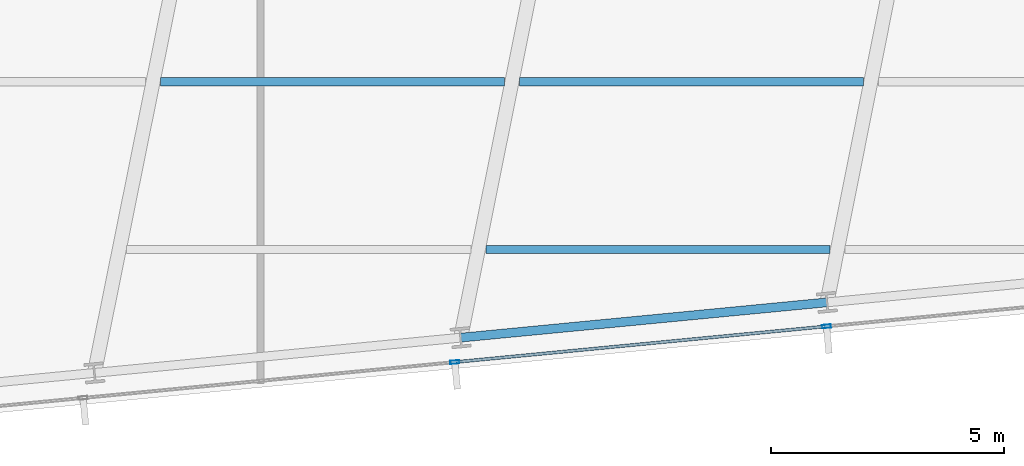
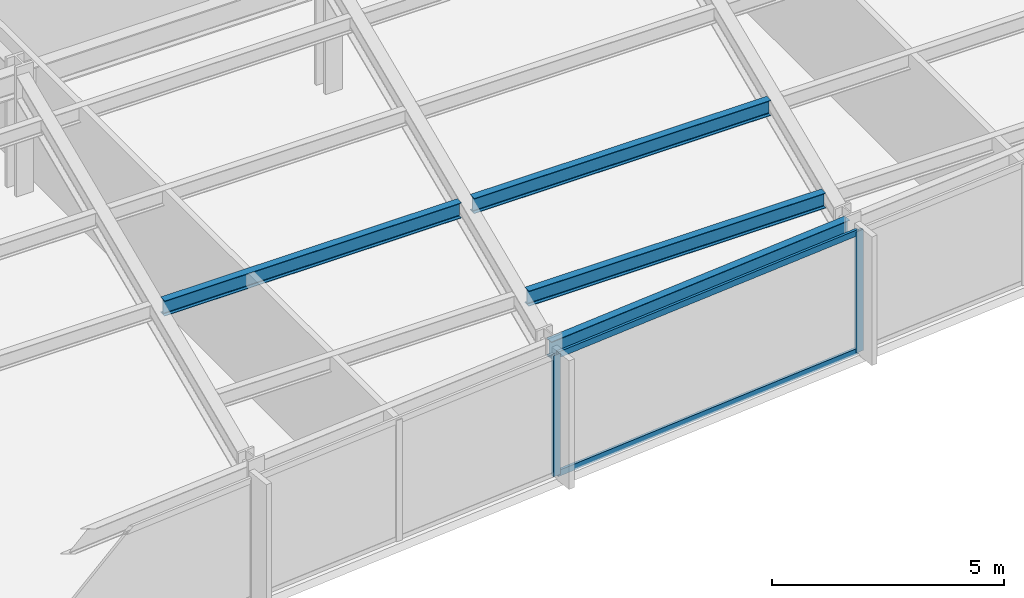
# One storey, part 4 of 32: 4 beams, 4 members, 1 element without a shape of its own.
"""IFC4 building model written with IfcOpenShell, lengths in metres."""

import ifcopenshell
import ifcopenshell.guid

model = None  # the IFC model being written
_history = None  # IfcOwnerHistory: only IFC2X3 demands one
_inside = {}  # id of a spatial element -> (the spatial element, [elements in it])
_under = {}  # id of a project, library or spatial element -> (it, [spatial elements below it])
_declared = {}  # id of a project -> (the project, [libraries it declares])
_typed = {}  # id of a type object -> (the type object, [elements of that type])
_made_of = {}  # id of a material, layer set ... -> (it, [elements and type objects made of it])


def new_model(schema):
    """Start an empty IFC model of exactly this schema.

    Asked for "IFC4X3", IfcOpenShell would pick the latest addendum, in which some entities
    have other attributes; the version numbers below select the first issue.
    IFC2X3 requires an IfcOwnerHistory on every rooted entity: one is made here for all.
    """
    global model, _history
    if schema == "IFC4X3":
        model = ifcopenshell.file(schema_version=(4, 3, 0, 0))
    else:
        model = ifcopenshell.file(schema=schema)
    _inside.clear()
    _under.clear()
    _declared.clear()
    _typed.clear()
    _made_of.clear()
    _history = None
    if model.schema == "IFC2X3":
        org = make("IfcOrganization", Name="unknown")
        user = make(
            "IfcPersonAndOrganization",
            ThePerson=make("IfcPerson", FamilyName="unknown"),
            TheOrganization=org,
        )
        app = make(
            "IfcApplication",
            ApplicationDeveloper=org,
            Version="unknown",
            ApplicationFullName="unknown",
            ApplicationIdentifier="unknown",
        )
        _history = make(
            "IfcOwnerHistory",
            OwningUser=user,
            OwningApplication=app,
            ChangeAction="ADDED",
            CreationDate=0,
        )
    return model


def make(cls, **values):
    """One entity of the class cls with the attributes given. An attribute that is None is left unset."""
    return model.create_entity(
        cls, **{name: value for name, value in values.items() if value is not None}
    )


def rooted(cls, **values):
    """An entity with a GlobalId (a new one), such as an element, a storey or a relation."""
    return make(cls, GlobalId=ifcopenshell.guid.new(), OwnerHistory=_history, **values)


def si_unit(unit_type, name, prefix=None):
    """IfcSIUnit, for example si_unit("LENGTHUNIT", "METRE", prefix="MILLI")."""
    return make("IfcSIUnit", UnitType=unit_type, Prefix=prefix, Name=name)


def assignment(units):
    """IfcUnitAssignment: the units of a project."""
    return None if units is None else make("IfcUnitAssignment", Units=units)


def point(xyz):
    """IfcCartesianPoint."""
    return None if xyz is None else make("IfcCartesianPoint", Coordinates=xyz)


def direction(xyz):
    """IfcDirection."""
    return None if xyz is None else make("IfcDirection", DirectionRatios=xyz)


def frame(location, z_axis=None, x_axis=None):
    """IfcAxis2Placement3D, a coordinate frame: its origin and axes. An axis left out is left unset."""
    return make(
        "IfcAxis2Placement3D",
        Location=point(location),
        Axis=direction(z_axis),
        RefDirection=direction(x_axis),
    )


def frame_2d(location, x_axis=None):
    """IfcAxis2Placement2D, a coordinate frame in the plane: its origin and x axis."""
    return make(
        "IfcAxis2Placement2D", Location=point(location), RefDirection=direction(x_axis)
    )


def origin():
    """The frame at (0, 0, 0) with its axes left unset."""
    return frame((0.0, 0.0, 0.0))


def origin_2d():
    """The frame at (0, 0) in the plane with its x axis left unset."""
    return frame_2d((0.0, 0.0))


def place(relative_to, where):
    """IfcLocalPlacement: puts the frame where relative to a parent placement (None: the world)."""
    return make(
        "IfcLocalPlacement", PlacementRelTo=relative_to, RelativePlacement=where
    )


def context(
    kind, dimensions, precision=None, world=None, true_north=None, identifier=None
):
    """IfcGeometricRepresentationContext, for example the 3D "Model" context."""
    return make(
        "IfcGeometricRepresentationContext",
        ContextIdentifier=identifier,
        ContextType=kind,
        CoordinateSpaceDimension=dimensions,
        Precision=precision,
        WorldCoordinateSystem=world,
        TrueNorth=true_north,
    )


def subcontext(parent, identifier, kind, view, scale=None):
    """IfcGeometricRepresentationSubContext, for example "Body" below "Model"."""
    return make(
        "IfcGeometricRepresentationSubContext",
        ContextIdentifier=identifier,
        ContextType=kind,
        ParentContext=parent,
        TargetScale=scale,
        TargetView=view,
    )


def project(units=None, contexts=None):
    """IfcProject with its units and contexts."""
    return rooted(
        "IfcProject",
        Name="project",
        RepresentationContexts=contexts,
        UnitsInContext=assignment(units),
    )


def spatial(cls, under=None, at=None, **own):
    """A site, building, storey or space (cls), placed at a placement, below another one or the project."""
    s = rooted(cls, ObjectPlacement=at, **own)
    if under is not None:
        _under.setdefault(under.id(), (under, []))[1].append(s)
    return s


def profile(cls, at=None, kind="AREA", **sizes):
    """A parametric profile (cls). Its sizes go by their IFC names, for example OverallWidth=200.0."""
    return make(cls, ProfileType=kind, Position=at, **sizes)


def hollow_rectangle(**sizes):
    """IfcRectangleHollowProfileDef."""
    return profile("IfcRectangleHollowProfileDef", **sizes)


def i_section(**sizes):
    """IfcIShapeProfileDef."""
    return profile("IfcIShapeProfileDef", **sizes)


def extrude(swept, where, along, depth):
    """IfcExtrudedAreaSolid: the profile swept, set in the frame where, extruded along a direction by depth."""
    return make(
        "IfcExtrudedAreaSolid",
        SweptArea=swept,
        Position=where,
        ExtrudedDirection=direction(along),
        Depth=depth,
    )


def shape(context_of_items, identifier, shape_type, items):
    """IfcShapeRepresentation: the items that make up one representation, for example the "Body"."""
    return make(
        "IfcShapeRepresentation",
        ContextOfItems=context_of_items,
        RepresentationIdentifier=identifier,
        RepresentationType=shape_type,
        Items=items,
    )


def material(Name=None, Category=None):
    """IfcMaterial."""
    return make("IfcMaterial", Name=Name, Category=Category)


def material_profile(
    of_material, cross_section, Name=None, Category=None, Priority=None
):
    """IfcMaterialProfile: a cross section and its material."""
    return make(
        "IfcMaterialProfile",
        Name=Name,
        Material=of_material,
        Profile=cross_section,
        Priority=Priority,
        Category=Category,
    )


def profile_set(profiles, Name=None, composite=None):
    """IfcMaterialProfileSet."""
    return make(
        "IfcMaterialProfileSet",
        Name=Name,
        MaterialProfiles=profiles,
        CompositeProfile=composite,
    )


def made_of(thing, what):
    """Note that an element or type object is made of a material, layer set ...; save() writes the relation."""
    if what is not None:
        _made_of.setdefault(what.id(), (what, []))[1].append(thing)
    return thing


def type_object(cls, material=None, **own):
    """A type object (cls), such as IfcWallType, which elements share."""
    return made_of(rooted(cls, **own), material)


def element(
    cls,
    number,
    at=None,
    inside=None,
    cuts=None,
    type_object=None,
    material=None,
    context=None,
    identifier="Body",
    shape_type=None,
    held_by="IfcProductDefinitionShape",
    body=None,
    shapes=None,
    **own,
):
    """One element of the class cls, such as IfcWall. Its Tag is "e" and its number.

    at: its placement. inside: the storey or other place that contains it. cuts: it is an
    opening in that element (IfcRelVoidsElement). A single representation is given by context,
    identifier, shape_type and body (its items); several are given by shapes. held_by: the class
    of the entity that holds the representations. save() writes the other relations.
    """
    e = rooted(cls, Tag="e%d" % number, ObjectPlacement=at, **own)
    if body is not None:
        shapes = [shape(context, identifier, shape_type, body)]
    if shapes is not None:
        e.Representation = make(held_by, Representations=shapes)
    if inside is not None:
        _inside.setdefault(inside.id(), (inside, []))[1].append(e)
    if cuts is not None:
        rooted(
            "IfcRelVoidsElement", RelatingBuildingElement=cuts, RelatedOpeningElement=e
        )
    if type_object is not None:
        _typed.setdefault(type_object.id(), (type_object, []))[1].append(e)
    return made_of(e, material)


def aggregate(whole, parts):
    """IfcRelAggregates: a whole, such as a stair, and the parts it consists of."""
    return rooted("IfcRelAggregates", RelatingObject=whole, RelatedObjects=parts)


def save(model, path):
    """Write the relations noted so far, then the file.

    IfcRelAggregates (storeys below a building ...), IfcRelContainedInSpatialStructure (elements
    in a storey), IfcRelDefinesByType, IfcRelAssociatesMaterial and IfcRelDeclares: one each for
    every whole, place, type object, material and project.
    """
    for whole, parts in _under.values():
        aggregate(whole, parts)
    for where, things in _inside.values():
        rooted(
            "IfcRelContainedInSpatialStructure",
            RelatedElements=things,
            RelatingStructure=where,
        )
    for kind, things in _typed.values():
        rooted("IfcRelDefinesByType", RelatedObjects=things, RelatingType=kind)
    for what, things in _made_of.values():
        rooted("IfcRelAssociatesMaterial", RelatedObjects=things, RelatingMaterial=what)
    for by, libraries in _declared.values():
        rooted("IfcRelDeclares", RelatingContext=by, RelatedDefinitions=libraries)
    model.write(path)


model = new_model("IFC4")

# Units and contexts
model_context = context("Model", 3, precision=1e-05, world=origin(), true_north=direction((0.0, 1.0)))
body_context = subcontext(model_context, "Body", "Model", "MODEL_VIEW")
ifc_project = project(units=[si_unit("LENGTHUNIT", "METRE"), si_unit("AREAUNIT", "SQUARE_METRE"), si_unit("VOLUMEUNIT", "CUBIC_METRE"), si_unit("PLANEANGLEUNIT", "RADIAN"), si_unit("MASSUNIT", "GRAM", prefix="KILO")], contexts=[model_context])

# Site, building, storey
site_placement = place(None, origin())
site = spatial("IfcSite", under=ifc_project, at=site_placement, CompositionType="ELEMENT")
building_placement = place(site_placement, origin())
building = spatial("IfcBuilding", under=site, at=building_placement, Name="Yelkora Congress Tower", CompositionType="ELEMENT")
storey_placement = place(building_placement, frame((0.0, 0.0, 113.5)))
storey = spatial("IfcBuildingStorey", under=building, at=storey_placement, Name="L30", CompositionType="ELEMENT", Elevation=113.5)

# Beams
ifc_material_1 = material(Name="Steel S355J2", Category="steel")
ifc_material_profile_1 = material_profile(ifc_material_1, i_section(OverallWidth=0.179931640625, OverallDepth=0.39990234375, WebThickness=0.008544921875, FlangeThickness=0.013427734375, FilletRadius=0.02099609375, at=origin_2d()), Name="IPE 400")
ifc_profile_set_1 = profile_set([ifc_material_profile_1], Name="Steel S355J2")
beam_type_1 = type_object("IfcBeamType", Name="BM-JOIST-IPE400", PredefinedType="JOIST", material=ifc_profile_set_1)
beam_1_placement = place(storey_placement, frame((36.023193359375, 12.54443359375, 2.97998046875), z_axis=(1.0, 0.0, 0.0), x_axis=(0.0, 1.0, 0.0)))
element("IfcBeam", 1, at=beam_1_placement, inside=storey, type_object=beam_type_1, Name="L30 Composite Floor Joist 2", PredefinedType="JOIST", context=body_context, shape_type="SweptSolid", body=[
    extrude(i_section(OverallWidth=0.179931640625, OverallDepth=0.39990234375, WebThickness=0.008544921875, FlangeThickness=0.013427734375, FilletRadius=0.02099609375, at=origin_2d()), origin(), (0.0, 0.0, 1.0), 7.37646484375),
])
beam_2_placement = place(storey_placement, frame((29.05419921875, 16.144287109375, 2.97998046875), z_axis=(1.0, 0.0, 0.0), x_axis=(0.0, 1.0, 0.0)))
element("IfcBeam", 2, at=beam_2_placement, inside=storey, type_object=beam_type_1, Name="L30 Composite Floor Joist 5", PredefinedType="JOIST", context=body_context, shape_type="SweptSolid", body=[
    extrude(i_section(OverallWidth=0.179931640625, OverallDepth=0.39990234375, WebThickness=0.008544921875, FlangeThickness=0.013427734375, FilletRadius=0.02099609375, at=origin_2d()), origin(), (0.0, 0.0, 1.0), 7.37060546875),
])
beam_3_placement = place(storey_placement, frame((36.744873046875, 16.144287109375, 2.97998046875), z_axis=(1.0, 0.0, 0.0), x_axis=(0.0, 1.0, 0.0)))
element("IfcBeam", 3, at=beam_3_placement, inside=storey, type_object=beam_type_1, Name="L30 Composite Floor Joist 6", PredefinedType="JOIST", context=body_context, shape_type="SweptSolid", body=[
    extrude(i_section(OverallWidth=0.179931640625, OverallDepth=0.39990234375, WebThickness=0.008544921875, FlangeThickness=0.013427734375, FilletRadius=0.02099609375, at=origin_2d()), origin(), (0.0, 0.0, 1.0), 7.371826171875),
])
ifc_material_profile_2 = material_profile(ifc_material_1, i_section(OverallWidth=0.18994140625, OverallDepth=0.449951171875, WebThickness=0.009521484375, FlangeThickness=0.0146484375, FilletRadius=0.02099609375, at=origin_2d()), Name="IPE 450")
ifc_profile_set_2 = profile_set([ifc_material_profile_2], Name="Steel S355J2")
beam_type_2 = type_object("IfcBeamType", Name="BM-SPAN-IPE450", PredefinedType="SPANDREL", material=ifc_profile_set_2)
beam_4_placement = place(storey_placement, frame((35.48486328125, 10.656005859375, 2.955078125), z_axis=(0.995395575667, 0.095852219286, 0.0), x_axis=(-0.095852219286, 0.995395575667, 0.0)))
element("IfcBeam", 4, at=beam_4_placement, inside=storey, type_object=beam_type_2, Name="L30 Perimeter Beam 5", PredefinedType="SPANDREL", context=body_context, shape_type="SweptSolid", body=[
    extrude(i_section(OverallWidth=0.18994140625, OverallDepth=0.449951171875, WebThickness=0.009521484375, FlangeThickness=0.0146484375, FilletRadius=0.02099609375, at=origin_2d()), origin(), (0.0, 0.0, 1.0), 7.8857421875),
])

# Curtain wall, members
ifc_material_2 = material(Name="Anodised aluminium and insulated glass", Category="aluminium")
curtain_wall_type = type_object("IfcCurtainWallType", Name="CW-SYS-B2", PredefinedType="NOTDEFINED", material=ifc_material_2)
curtain_wall_placement = place(storey_placement, origin())
curtain_wall = element("IfcCurtainWall", 5, at=curtain_wall_placement, inside=storey, type_object=curtain_wall_type, Name="L30 Unitised Curtain Wall 20", PredefinedType="NOTDEFINED")
ifc_material_3 = material(Name="Anodised aluminium 6063-T6", Category="aluminium")
ifc_material_profile_3 = material_profile(ifc_material_3, hollow_rectangle(XDim=0.070068359375, YDim=0.18994140625, WallThickness=0.00390625, at=origin_2d()), Name="ALU 70x190x4")
ifc_profile_set_3 = profile_set([ifc_material_profile_3], Name="Anodised aluminium 6063-T6")
member_type_1 = type_object("IfcMemberType", Name="MEM-ML-B2", PredefinedType="MULLION", material=ifc_profile_set_3)
member_1_placement = place(storey_placement, frame((43.32470703125, 10.898681640625, 0.0), z_axis=(0.0, 0.0, 1.0), x_axis=(0.095844345816, -0.995396333816, 0.0)))
member_1 = element("IfcMember", 6, at=member_1_placement, type_object=member_type_1, Name="CW-B2 mullion 5", PredefinedType="MULLION", context=body_context, shape_type="SweptSolid", body=[
    extrude(hollow_rectangle(XDim=0.070068359375, YDim=0.18994140625, WallThickness=0.00390625, at=origin_2d()), origin(), (0.0, 0.0, 1.0), 3.179931640625),
])
member_2_placement = place(storey_placement, frame((35.358642578125, 10.131591796875, 0.0), z_axis=(0.0, 0.0, 1.0), x_axis=(0.095844345816, -0.995396333816, 0.0)))
member_2 = element("IfcMember", 7, at=member_2_placement, type_object=member_type_1, Name="CW-B2 mullion 6", PredefinedType="MULLION", context=body_context, shape_type="SweptSolid", body=[
    extrude(hollow_rectangle(XDim=0.070068359375, YDim=0.18994140625, WallThickness=0.00390625, at=origin_2d()), origin(), (0.0, 0.0, 1.0), 3.179931640625),
])
ifc_material_profile_4 = material_profile(ifc_material_3, hollow_rectangle(XDim=0.06494140625, YDim=0.159912109375, WallThickness=0.00390625, at=origin_2d()), Name="ALU 65x160x4")
ifc_profile_set_4 = profile_set([ifc_material_profile_4], Name="Anodised aluminium 6063-T6")
member_type_2 = type_object("IfcMemberType", Name="MEM-TR-B2", PredefinedType="USERDEFINED", material=ifc_profile_set_4)
member_3_placement = place(storey_placement, frame((43.289794921875, 10.895263671875, 0.032470703125), z_axis=(-0.995397010735, -0.095837315383, 0.0), x_axis=(0.095837315383, -0.995397010735, 0.0)))
member_3 = element("IfcMember", 8, at=member_3_placement, type_object=member_type_2, Name="CW-B2 transom 5.1", ObjectType="TRANSOM", PredefinedType="USERDEFINED", context=body_context, shape_type="SweptSolid", body=[
    extrude(hollow_rectangle(XDim=0.06494140625, YDim=0.159912109375, WallThickness=0.00390625, at=origin_2d()), origin(), (0.0, 0.0, 1.0), 7.932861328125),
])
member_4_placement = place(storey_placement, frame((43.289794921875, 10.895263671875, 3.1474609375), z_axis=(-0.995397010735, -0.095837315383, 0.0), x_axis=(0.095837315383, -0.995397010735, 0.0)))
member_4 = element("IfcMember", 9, at=member_4_placement, type_object=member_type_2, Name="CW-B2 transom 5.2", ObjectType="TRANSOM", PredefinedType="USERDEFINED", context=body_context, shape_type="SweptSolid", body=[
    extrude(hollow_rectangle(XDim=0.06494140625, YDim=0.159912109375, WallThickness=0.00390625, at=origin_2d()), origin(), (0.0, 0.0, 1.0), 7.932861328125),
])
aggregate(curtain_wall, [member_1, member_2, member_3, member_4])

save(model, "model.ifc")
